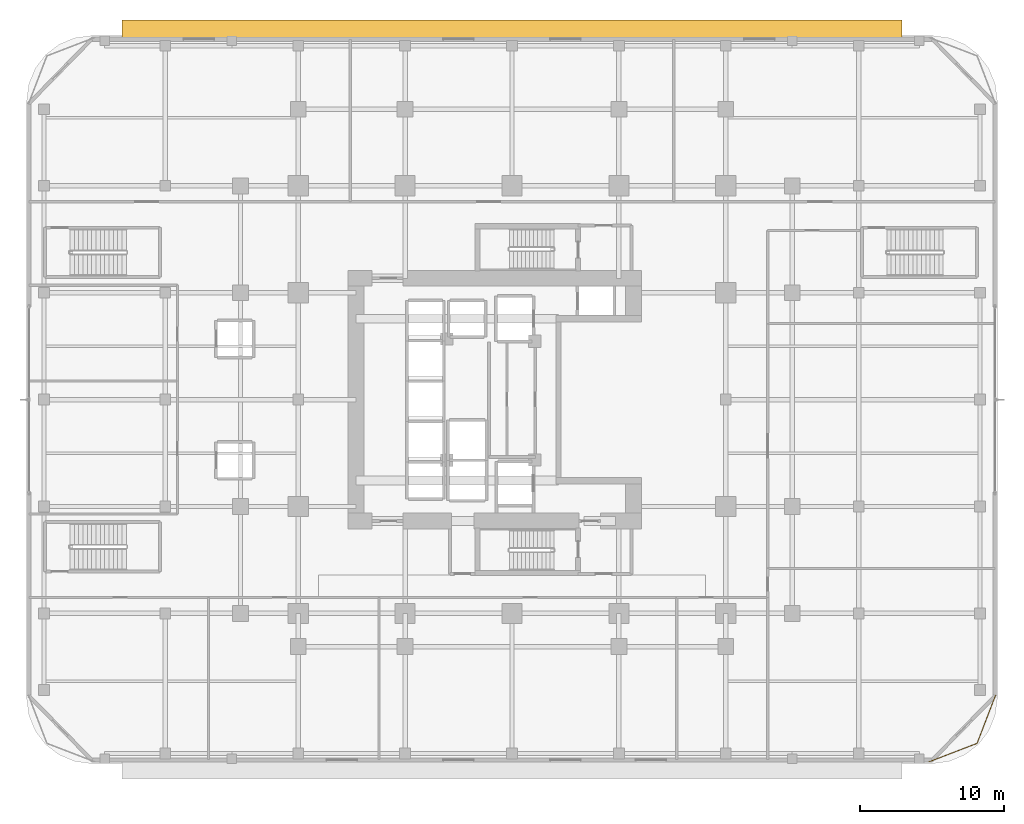
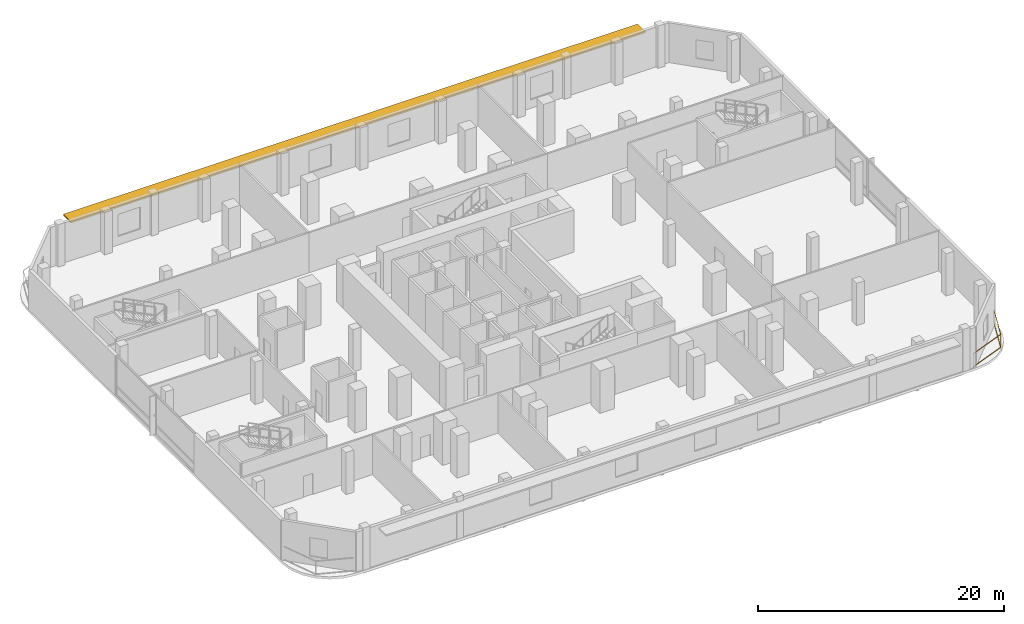
# One storey, part 18 of 19: 1 railing, 1 shading device.
"""IFC4 building model written with IfcOpenShell, lengths in metres."""

from ifc_helpers import new_model, si_unit, direction, frame, origin, origin_2d, place, context, subcontext, project, spatial, polyline, rectangle, outline, extrude, material, layer, layer_set, type_object, element, save


model = new_model("IFC4")

# Units and contexts
model_context = context("Model", 3, precision=1e-05, world=origin(), true_north=direction((0.0, 1.0)))
body_context = subcontext(model_context, "Body", "Model", "MODEL_VIEW")
ifc_project = project(units=[si_unit("LENGTHUNIT", "METRE"), si_unit("AREAUNIT", "SQUARE_METRE"), si_unit("VOLUMEUNIT", "CUBIC_METRE"), si_unit("PLANEANGLEUNIT", "RADIAN"), si_unit("MASSUNIT", "GRAM", prefix="KILO")], contexts=[model_context])

# Site, building, storey
site_placement = place(None, origin())
site = spatial("IfcSite", under=ifc_project, at=site_placement, CompositionType="ELEMENT")
building_placement = place(site_placement, origin())
building = spatial("IfcBuilding", under=site, at=building_placement, Name="Khorvyn Point Tower", CompositionType="ELEMENT")
storey_placement = place(building_placement, frame((0.0, 0.0, 17.39990234375)))
storey = spatial("IfcBuildingStorey", under=building, at=storey_placement, Name="L05", CompositionType="ELEMENT", Elevation=17.39990234375)

# Shading device
ifc_material_1 = material(Name="Bronze anodised aluminium 6063-T6", Category="aluminium")
ifc_layer = layer(ifc_material_1, 0.139892578125)
ifc_layer_set = layer_set([ifc_layer], Name="Anodised Aluminium Horizontal Monsoon Sunshade Canopy")
shading_device_type = type_object("IfcShadingDeviceType", Name="Anodised Aluminium Horizontal Monsoon Sunshade Canopy", PredefinedType="AWNING", material=ifc_layer_set)
shading_device_placement = place(storey_placement, frame((0.0, 0.0, 3.5400390625)))
element("IfcShadingDevice", 1, at=shading_device_placement, inside=storey, type_object=shading_device_type, Name="L05 North Classroom Monsoon Sunshade", PredefinedType="AWNING", context=body_context, shape_type="SweptSolid", body=[
    extrude(outline(polyline([(-27.0, 25.030029296875), (27.0, 25.030029296875), (27.0, 26.280029296875), (-27.0, 26.280029296875), (-27.0, 25.030029296875)])), origin(), (0.0, 0.0, 1.0), 0.14013671875),
])

# Railing
ifc_material_2 = material(Name="Anodised aluminium 6063-T6 and laminated safety glass", Category="aluminium")
railing_type = type_object("IfcRailingType", Name="Laminated Glass and Aluminium Balcony Guardrail 1400", PredefinedType="BALUSTRADE", material=ifc_material_2)
railing_placement = place(storey_placement, frame((28.870849609375, -25.073974609375, 0.0)))
element("IfcRailing", 2, at=railing_placement, inside=storey, type_object=railing_type, Name="L05 Rounded Corner Edge Guardrail SE", PredefinedType="BALUSTRADE", context=body_context, shape_type="SweptSolid", body=[
    extrude(rectangle(XDim=0.048095703125, YDim=0.048095703125, at=origin_2d()), frame((0.0, 0.0, 1.3759765625), z_axis=(0.933575007025, 0.358382067435, 0.0), x_axis=(-0.358382067435, 0.933575007025, 0.0)), (0.0, 0.0, 1.0), 3.562744140625),
    extrude(rectangle(XDim=0.048095703125, YDim=0.048095703125, at=origin_2d()), frame((0.0, 0.0, 0.080078125), z_axis=(0.933575007025, 0.358382067435, 0.0), x_axis=(-0.358382067435, 0.933575007025, 0.0)), (0.0, 0.0, 1.0), 3.562744140625),
    extrude(rectangle(XDim=0.048095703125, YDim=0.048095703125, at=origin_2d()), frame((3.326171875, 1.27685546875, 1.3759765625), z_axis=(0.35841886047, 0.933560882031, 0.0), x_axis=(-0.933560882031, 0.35841886047, 0.0)), (0.0, 0.0, 1.0), 3.563232421875),
    extrude(rectangle(XDim=0.048095703125, YDim=0.048095703125, at=origin_2d()), frame((3.326171875, 1.27685546875, 0.080078125), z_axis=(0.35841886047, 0.933560882031, 0.0), x_axis=(-0.933560882031, 0.35841886047, 0.0)), (0.0, 0.0, 1.0), 3.563232421875),
    extrude(rectangle(XDim=0.0419921875, YDim=0.0419921875, at=origin_2d()), origin(), (0.0, 0.0, 1.0), 1.351806640625),
    extrude(rectangle(XDim=0.0419921875, YDim=0.0419921875, at=origin_2d()), frame((3.326171875, 1.27685546875, 0.0)), (0.0, 0.0, 1.0), 1.351806640625),
    extrude(rectangle(XDim=0.0419921875, YDim=0.0419921875, at=origin_2d()), frame((4.603271484375, 4.603271484375, 0.0)), (0.0, 0.0, 1.0), 1.351806640625),
])

save(model, "model.ifc")
